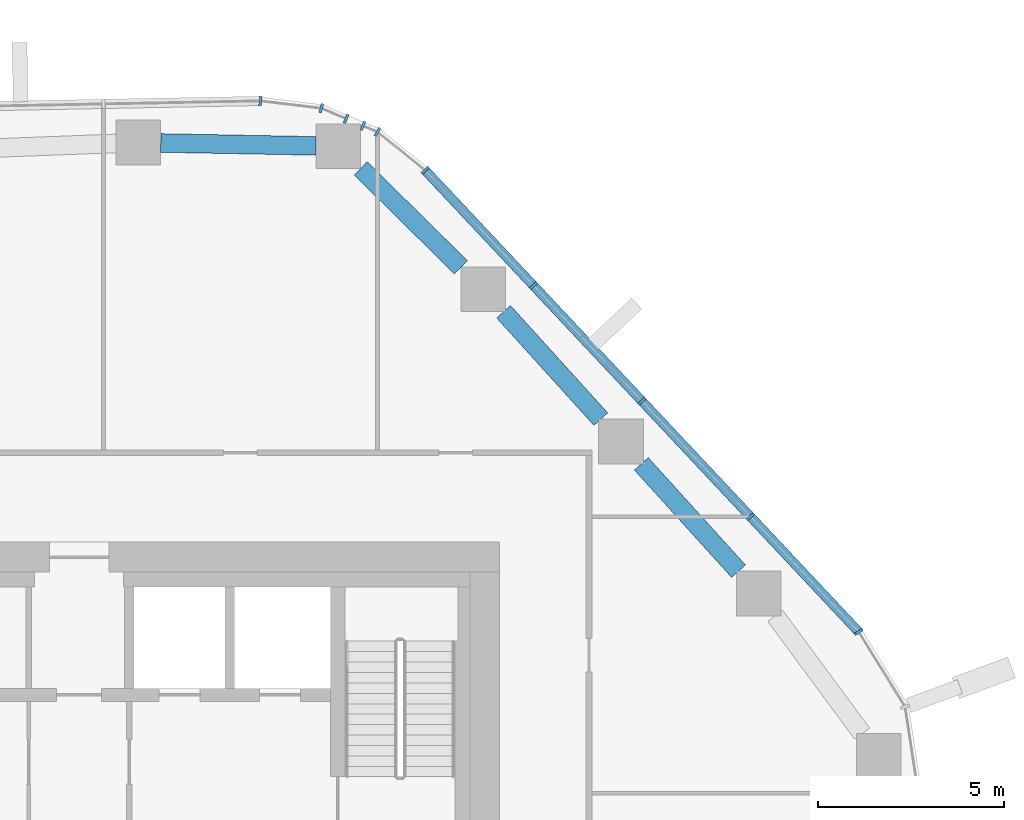
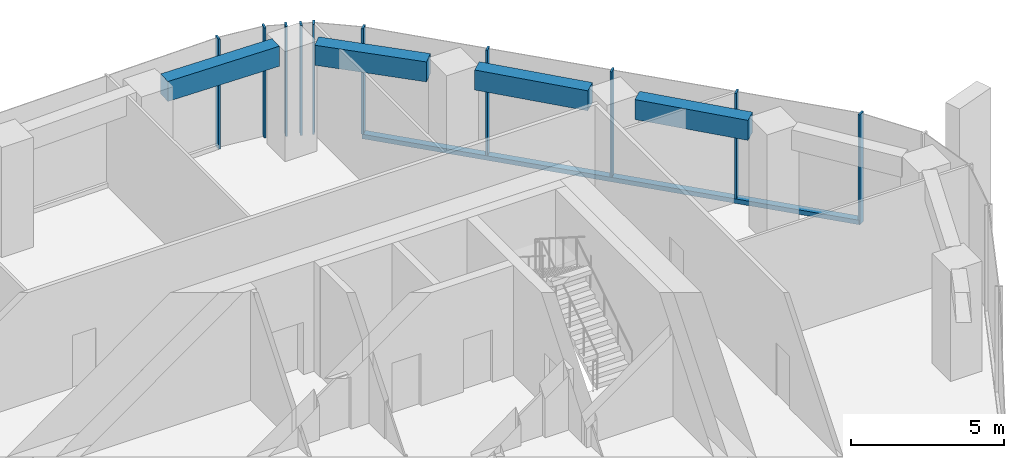
# One storey, part 5 of 16: 11 members, 4 beams, 4 elements without a shape of their own.
"""IFC4 building model written with IfcOpenShell, lengths in metres."""

from ifc_helpers import new_model, si_unit, direction, frame, origin, origin_2d, place, context, subcontext, project, spatial, rectangle, extrude, material, layer, layer_set, material_profile, profile_set, type_object, element, aggregate, save


model = new_model("IFC4")

# Units and contexts
model_context = context("Model", 3, precision=1e-05, world=origin(), true_north=direction((0.0, 1.0)))
body_context = subcontext(model_context, "Body", "Model", "MODEL_VIEW")
ifc_project = project(units=[si_unit("LENGTHUNIT", "METRE"), si_unit("AREAUNIT", "SQUARE_METRE"), si_unit("VOLUMEUNIT", "CUBIC_METRE"), si_unit("PLANEANGLEUNIT", "RADIAN"), si_unit("MASSUNIT", "GRAM", prefix="KILO")], contexts=[model_context])

# Site, building, storey
site_placement = place(None, origin())
site = spatial("IfcSite", under=ifc_project, at=site_placement, CompositionType="ELEMENT")
building_placement = place(site_placement, origin())
building = spatial("IfcBuilding", under=site, at=building_placement, Name="Dongbaek Canopy Tower", CompositionType="ELEMENT")
storey_placement = place(building_placement, frame((0.0, 0.0, 215.60009765625)))
storey = spatial("IfcBuildingStorey", under=building, at=storey_placement, Name="L45", CompositionType="ELEMENT", Elevation=215.60009765625)

# Curtain wall, member
ifc_material_1 = material(Name="Aluminium 6063-T6 pale anodised", Category="aluminium")
ifc_layer = layer(ifc_material_1, 0.25)
ifc_layer_set = layer_set([ifc_layer], Name="CW-4 sky-lobby curtain wall")
curtain_wall_type = type_object("IfcCurtainWallType", Name="CW-4 sky-lobby curtain wall", PredefinedType="NOTDEFINED", material=ifc_layer_set)
curtain_wall_1_placement = place(storey_placement, origin())
curtain_wall_1 = element("IfcCurtainWall", 1, at=curtain_wall_1_placement, inside=storey, type_object=curtain_wall_type, Name="CW-4 curtain wall K0.1", PredefinedType="NOTDEFINED")
ifc_material_2 = material(Name="Aluminium 6063-T6 pale anodised", Category="aluminium")
ifc_material_profile_1 = material_profile(ifc_material_2, rectangle(XDim=0.25, YDim=0.070068359375, at=origin_2d()), Name="CW-4 mullion 70 x 250")
ifc_profile_set_1 = profile_set([ifc_material_profile_1], Name="Aluminium 6063-T6 pale anodised")
member_type_1 = type_object("IfcMemberType", Name="CW-4 mullion 70 x 250", PredefinedType="MULLION", material=ifc_profile_set_1)
member_1_placement = place(storey_placement, frame((23.646728515625, 8.590087890625, 0.0), z_axis=(0.0, 0.0, 1.0), x_axis=(0.850833291705, 0.525435733202, 0.0)))
member_1 = element("IfcMember", 2, at=member_1_placement, type_object=member_type_1, Name="CW-4 mullion K0.1.4", PredefinedType="MULLION", context=body_context, shape_type="SweptSolid", body=[
    extrude(rectangle(XDim=0.25, YDim=0.070068359375, at=origin_2d()), origin(), (0.0, 0.0, 1.0), 4.39990234375),
])
aggregate(curtain_wall_1, [member_1])

# Curtain wall, members
curtain_wall_2_placement = place(storey_placement, origin())
curtain_wall_2 = element("IfcCurtainWall", 3, at=curtain_wall_2_placement, inside=storey, type_object=curtain_wall_type, Name="CW-4 curtain wall F0.1", PredefinedType="NOTDEFINED")
member_2_placement = place(storey_placement, frame((20.739013671875, 11.68603515625, 0.179931640625), z_axis=(0.0, 0.0, 1.0), x_axis=(0.728940764929, 0.68457677526, 0.0)))
member_2 = element("IfcMember", 4, at=member_2_placement, type_object=member_type_1, Name="CW-4 mullion F0.1.2", PredefinedType="MULLION", context=body_context, shape_type="SweptSolid", body=[
    extrude(rectangle(XDim=0.25, YDim=0.070068359375, at=origin_2d()), origin(), (0.0, 0.0, 1.0), 4.219970703125),
])
member_3_placement = place(storey_placement, frame((17.824462890625, 14.78955078125, 0.179931640625), z_axis=(0.0, 0.0, 1.0), x_axis=(0.728940764929, 0.68457677526, 0.0)))
member_3 = element("IfcMember", 5, at=member_3_placement, type_object=member_type_1, Name="CW-4 mullion F0.1.3", PredefinedType="MULLION", context=body_context, shape_type="SweptSolid", body=[
    extrude(rectangle(XDim=0.25, YDim=0.070068359375, at=origin_2d()), origin(), (0.0, 0.0, 1.0), 4.219970703125),
])
member_4_placement = place(storey_placement, frame((14.909912109375, 17.89306640625, 0.179931640625), z_axis=(0.0, 0.0, 1.0), x_axis=(0.728940764929, 0.68457677526, 0.0)))
member_4 = element("IfcMember", 6, at=member_4_placement, type_object=member_type_1, Name="CW-4 mullion F0.1.4", PredefinedType="MULLION", context=body_context, shape_type="SweptSolid", body=[
    extrude(rectangle(XDim=0.25, YDim=0.070068359375, at=origin_2d()), origin(), (0.0, 0.0, 1.0), 4.219970703125),
])
member_5_placement = place(storey_placement, frame((12.0, 20.9912109375, 0.179931640625), z_axis=(0.0, 0.0, 1.0), x_axis=(0.728940764929, 0.68457677526, 0.0)))
member_5 = element("IfcMember", 7, at=member_5_placement, type_object=member_type_1, Name="CW-4 mullion F0.1.5", PredefinedType="MULLION", context=body_context, shape_type="SweptSolid", body=[
    extrude(rectangle(XDim=0.25, YDim=0.070068359375, at=origin_2d()), origin(), (0.0, 0.0, 1.0), 4.219970703125),
])

curtain_wall_3_placement = place(storey_placement, origin())
curtain_wall_3 = element("IfcCurtainWall", 8, at=curtain_wall_3_placement, inside=storey, type_object=curtain_wall_type, Name="CW-4 curtain wall K1.1a", PredefinedType="NOTDEFINED")
member_6_placement = place(storey_placement, frame((10.7177734375, 22.022705078125, 0.0), z_axis=(0.0, 0.0, 1.0), x_axis=(0.512498450894, 0.858688149348, 0.0)))
member_6 = element("IfcMember", 9, at=member_6_placement, type_object=member_type_1, Name="CW-4 mullion K1.1a.2", PredefinedType="MULLION", context=body_context, shape_type="SweptSolid", body=[
    extrude(rectangle(XDim=0.25, YDim=0.070068359375, at=origin_2d()), origin(), (0.0, 0.0, 1.0), 4.39990234375),
])
member_7_placement = place(storey_placement, frame((10.326171875, 22.187744140625, 0.0), z_axis=(0.0, 0.0, 1.0), x_axis=(0.388267757999, 0.92154660658, 0.0)))
member_7 = element("IfcMember", 10, at=member_7_placement, type_object=member_type_1, Name="CW-4 mullion K1.1a.3", PredefinedType="MULLION", context=body_context, shape_type="SweptSolid", body=[
    extrude(rectangle(XDim=0.25, YDim=0.070068359375, at=origin_2d()), origin(), (0.0, 0.0, 1.0), 4.39990234375),
])
aggregate(curtain_wall_3, [member_6, member_7])

curtain_wall_4_placement = place(storey_placement, origin())
curtain_wall_4 = element("IfcCurtainWall", 11, at=curtain_wall_4_placement, inside=storey, type_object=curtain_wall_type, Name="CW-4 curtain wall K1.1b", PredefinedType="NOTDEFINED")
member_8_placement = place(storey_placement, frame((9.875244140625, 22.3779296875, 0.0), z_axis=(0.0, 0.0, 1.0), x_axis=(0.388267757999, 0.92154660658, 0.0)))
member_8 = element("IfcMember", 12, at=member_8_placement, type_object=member_type_1, Name="CW-4 mullion K1.1b.1", PredefinedType="MULLION", context=body_context, shape_type="SweptSolid", body=[
    extrude(rectangle(XDim=0.25, YDim=0.070068359375, at=origin_2d()), origin(), (0.0, 0.0, 1.0), 4.39990234375),
])
member_9_placement = place(storey_placement, frame((9.207763671875, 22.658935546875, 0.0), z_axis=(0.0, 0.0, 1.0), x_axis=(0.256510707873, 0.96654138905, 0.0)))
member_9 = element("IfcMember", 13, at=member_9_placement, type_object=member_type_1, Name="CW-4 mullion K1.1b.2", PredefinedType="MULLION", context=body_context, shape_type="SweptSolid", body=[
    extrude(rectangle(XDim=0.25, YDim=0.070068359375, at=origin_2d()), origin(), (0.0, 0.0, 1.0), 4.39990234375),
])
member_10_placement = place(storey_placement, frame((7.573974609375, 22.856201171875, 0.0), z_axis=(0.0, 0.0, 1.0), x_axis=(0.119781338591, 0.992800297605, 0.0)))
member_10 = element("IfcMember", 14, at=member_10_placement, type_object=member_type_1, Name="CW-4 mullion K1.1b.3", PredefinedType="MULLION", context=body_context, shape_type="SweptSolid", body=[
    extrude(rectangle(XDim=0.25, YDim=0.070068359375, at=origin_2d()), origin(), (0.0, 0.0, 1.0), 4.39990234375),
])
aggregate(curtain_wall_4, [member_8, member_9, member_10])

# Member
ifc_material_3 = material(Name="Aluminium 6063-T6 pale anodised", Category="aluminium")
ifc_material_profile_2 = material_profile(ifc_material_3, rectangle(XDim=0.25, YDim=0.179931640625, at=origin_2d()), Name="CW-4 transom 180 x 250")
ifc_profile_set_2 = profile_set([ifc_material_profile_2], Name="Aluminium 6063-T6 pale anodised")
member_type_2 = type_object("IfcMemberType", Name="CW-4 transom 180 x 250", PredefinedType="USERDEFINED", material=ifc_profile_set_2)
member_11_placement = place(storey_placement, frame((23.646728515625, 8.590087890625, 0.08984375), z_axis=(-0.684587674015, 0.728930529328, 0.0), x_axis=(-0.728930529328, -0.684587674015, 0.0)))
member_11 = element("IfcMember", 15, at=member_11_placement, type_object=member_type_2, Name="CW-4 transom F0.1.1", ObjectType="TRANSOM", PredefinedType="USERDEFINED", context=body_context, shape_type="SweptSolid", body=[
    extrude(rectangle(XDim=0.25, YDim=0.179931640625, at=origin_2d()), origin(), (0.0, 0.0, 1.0), 17.0126953125),
])

aggregate(curtain_wall_2, [member_2, member_3, member_4, member_5, member_11])

# Beams
ifc_material_4 = material(Name="Concrete C70", Category="concrete")
ifc_material_profile_3 = material_profile(ifc_material_4, rectangle(XDim=0.5, YDim=0.800048828125, at=origin_2d()), Name="RC EDGE BEAM 500x800 C70")
ifc_profile_set_3 = profile_set([ifc_material_profile_3], Name="Concrete C70")
beam_type = type_object("IfcBeamType", Name="RC EDGE BEAM 500x800 C70", PredefinedType="BEAM", material=ifc_profile_set_3)
beam_1_placement = place(storey_placement, frame((4.89501953125, 21.724609375, 4.0), z_axis=(0.999823523871, -0.018786194753, 0.0), x_axis=(0.018786194753, 0.999823523871, 0.0)))
element("IfcBeam", 16, at=beam_1_placement, inside=storey, type_object=beam_type, Name="EDGEBEAM:L45:16", PredefinedType="BEAM", context=body_context, shape_type="SweptSolid", body=[
    extrude(rectangle(XDim=0.5, YDim=0.800048828125, at=origin_2d()), origin(), (0.0, 0.0, 1.0), 4.171630859375),
])
beam_2_placement = place(storey_placement, frame((10.26611328125, 21.04296875, 4.0), z_axis=(0.711703560094, -0.702479923236, 0.0), x_axis=(0.702479923236, 0.711703560094, 0.0)))
element("IfcBeam", 17, at=beam_2_placement, inside=storey, type_object=beam_type, Name="EDGEBEAM:L45:17", PredefinedType="BEAM", context=body_context, shape_type="SweptSolid", body=[
    extrude(rectangle(XDim=0.5, YDim=0.800048828125, at=origin_2d()), origin(), (0.0, 0.0, 1.0), 3.78515625),
])
beam_3_placement = place(storey_placement, frame((14.103515625, 17.19189453125, 4.0), z_axis=(0.67132037677, -0.741167289978, 0.0), x_axis=(0.741167289978, 0.67132037677, 0.0)))
element("IfcBeam", 18, at=beam_3_placement, inside=storey, type_object=beam_type, Name="EDGEBEAM:L45:18", PredefinedType="BEAM", context=body_context, shape_type="SweptSolid", body=[
    extrude(rectangle(XDim=0.5, YDim=0.800048828125, at=origin_2d()), origin(), (0.0, 0.0, 1.0), 3.893798828125),
])
beam_4_placement = place(storey_placement, frame((17.80419921875, 13.10595703125, 4.0), z_axis=(0.671238468475, -0.741241471074, 0.0), x_axis=(0.741241471074, 0.671238468475, 0.0)))
element("IfcBeam", 19, at=beam_4_placement, inside=storey, type_object=beam_type, Name="EDGEBEAM:L45:19", PredefinedType="BEAM", context=body_context, shape_type="SweptSolid", body=[
    extrude(rectangle(XDim=0.5, YDim=0.800048828125, at=origin_2d()), origin(), (0.0, 0.0, 1.0), 3.89208984375),
])

save(model, "model.ifc")
